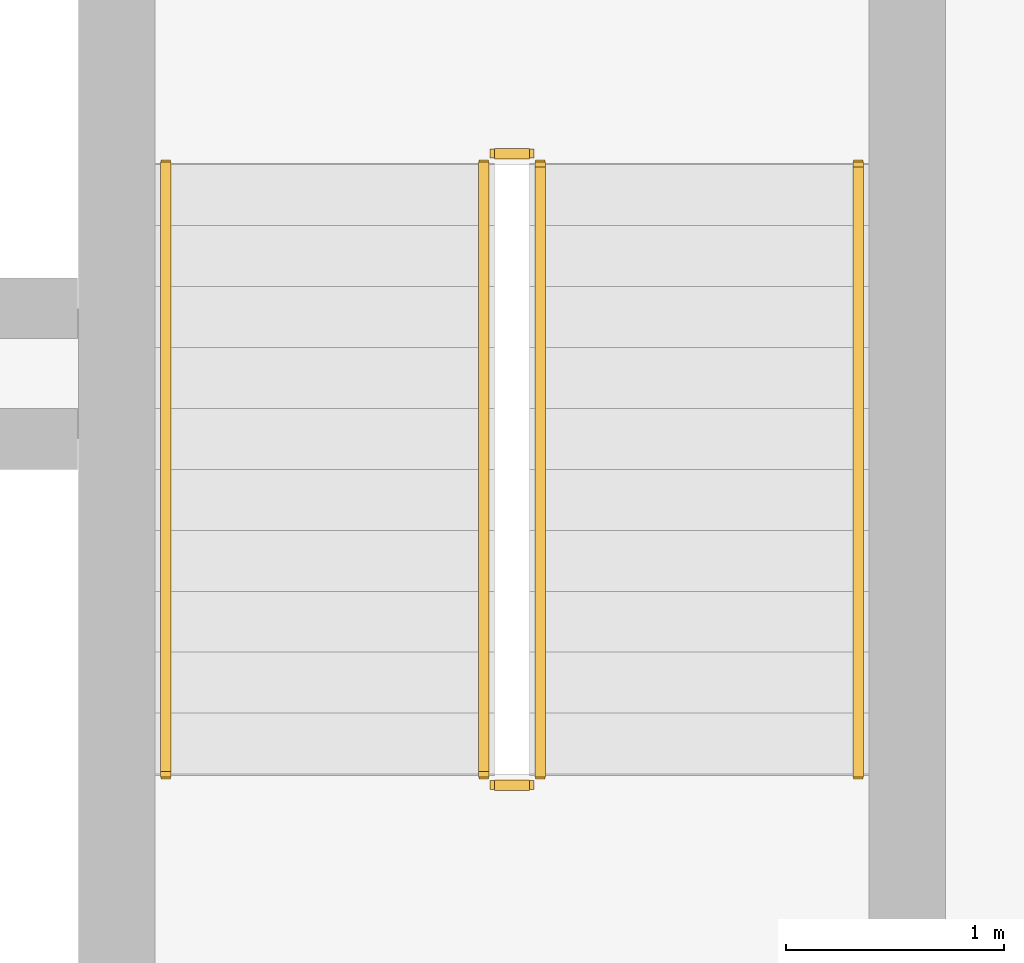
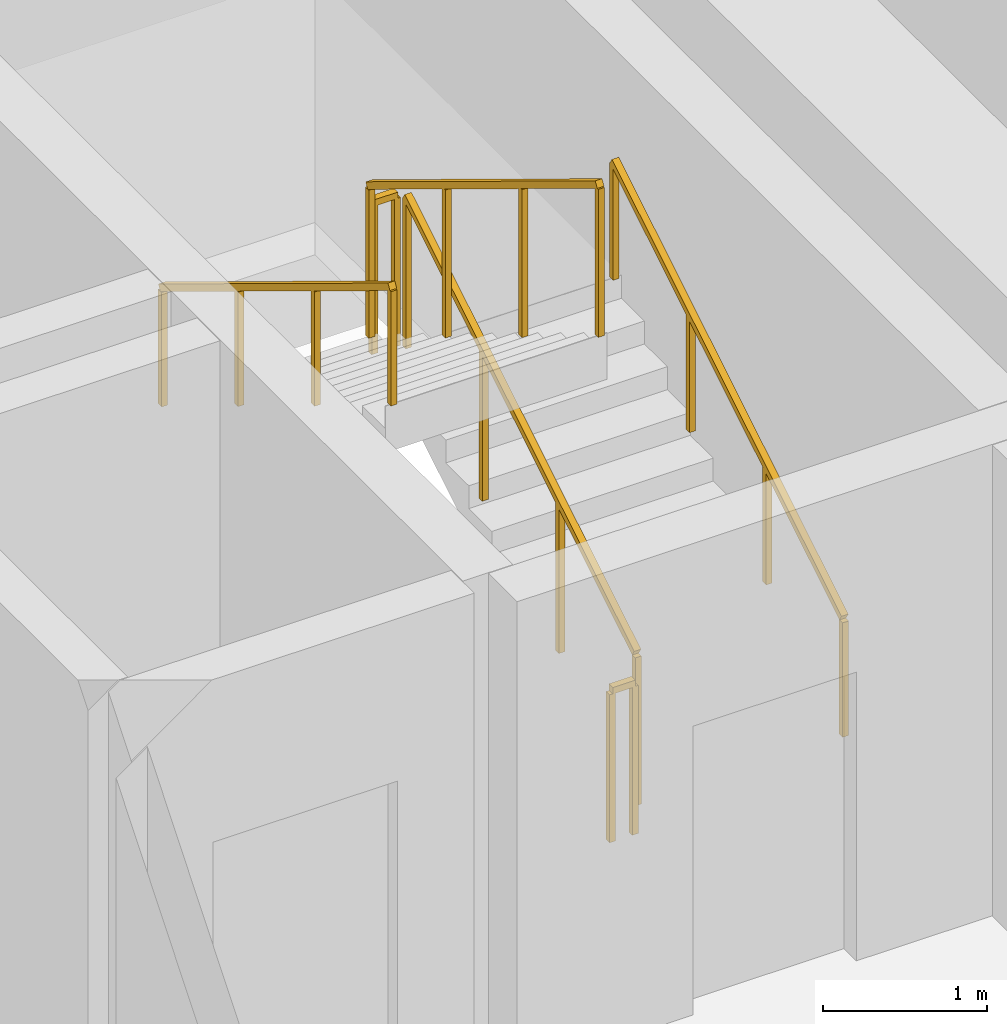
# One storey, part 15 of 15: 6 railings.
"""IFC4 building model written with IfcOpenShell, lengths in metres."""

import ifcopenshell
import ifcopenshell.guid

model = None  # the IFC model being written
_history = None  # IfcOwnerHistory: only IFC2X3 demands one
_inside = {}  # id of a spatial element -> (the spatial element, [elements in it])
_under = {}  # id of a project, library or spatial element -> (it, [spatial elements below it])
_declared = {}  # id of a project -> (the project, [libraries it declares])
_typed = {}  # id of a type object -> (the type object, [elements of that type])
_made_of = {}  # id of a material, layer set ... -> (it, [elements and type objects made of it])


def new_model(schema):
    """Start an empty IFC model of exactly this schema.

    Asked for "IFC4X3", IfcOpenShell would pick the latest addendum, in which some entities
    have other attributes; the version numbers below select the first issue.
    IFC2X3 requires an IfcOwnerHistory on every rooted entity: one is made here for all.
    """
    global model, _history
    if schema == "IFC4X3":
        model = ifcopenshell.file(schema_version=(4, 3, 0, 0))
    else:
        model = ifcopenshell.file(schema=schema)
    _inside.clear()
    _under.clear()
    _declared.clear()
    _typed.clear()
    _made_of.clear()
    _history = None
    if model.schema == "IFC2X3":
        org = make("IfcOrganization", Name="unknown")
        user = make(
            "IfcPersonAndOrganization",
            ThePerson=make("IfcPerson", FamilyName="unknown"),
            TheOrganization=org,
        )
        app = make(
            "IfcApplication",
            ApplicationDeveloper=org,
            Version="unknown",
            ApplicationFullName="unknown",
            ApplicationIdentifier="unknown",
        )
        _history = make(
            "IfcOwnerHistory",
            OwningUser=user,
            OwningApplication=app,
            ChangeAction="ADDED",
            CreationDate=0,
        )
    return model


def make(cls, **values):
    """One entity of the class cls with the attributes given. An attribute that is None is left unset."""
    return model.create_entity(
        cls, **{name: value for name, value in values.items() if value is not None}
    )


def rooted(cls, **values):
    """An entity with a GlobalId (a new one), such as an element, a storey or a relation."""
    return make(cls, GlobalId=ifcopenshell.guid.new(), OwnerHistory=_history, **values)


def si_unit(unit_type, name, prefix=None):
    """IfcSIUnit, for example si_unit("LENGTHUNIT", "METRE", prefix="MILLI")."""
    return make("IfcSIUnit", UnitType=unit_type, Prefix=prefix, Name=name)


def assignment(units):
    """IfcUnitAssignment: the units of a project."""
    return None if units is None else make("IfcUnitAssignment", Units=units)


def point(xyz):
    """IfcCartesianPoint."""
    return None if xyz is None else make("IfcCartesianPoint", Coordinates=xyz)


def direction(xyz):
    """IfcDirection."""
    return None if xyz is None else make("IfcDirection", DirectionRatios=xyz)


def frame(location, z_axis=None, x_axis=None):
    """IfcAxis2Placement3D, a coordinate frame: its origin and axes. An axis left out is left unset."""
    return make(
        "IfcAxis2Placement3D",
        Location=point(location),
        Axis=direction(z_axis),
        RefDirection=direction(x_axis),
    )


def frame_2d(location, x_axis=None):
    """IfcAxis2Placement2D, a coordinate frame in the plane: its origin and x axis."""
    return make(
        "IfcAxis2Placement2D", Location=point(location), RefDirection=direction(x_axis)
    )


def origin():
    """The frame at (0, 0, 0) with its axes left unset."""
    return frame((0.0, 0.0, 0.0))


def origin_2d():
    """The frame at (0, 0) in the plane with its x axis left unset."""
    return frame_2d((0.0, 0.0))


def place(relative_to, where):
    """IfcLocalPlacement: puts the frame where relative to a parent placement (None: the world)."""
    return make(
        "IfcLocalPlacement", PlacementRelTo=relative_to, RelativePlacement=where
    )


def context(
    kind, dimensions, precision=None, world=None, true_north=None, identifier=None
):
    """IfcGeometricRepresentationContext, for example the 3D "Model" context."""
    return make(
        "IfcGeometricRepresentationContext",
        ContextIdentifier=identifier,
        ContextType=kind,
        CoordinateSpaceDimension=dimensions,
        Precision=precision,
        WorldCoordinateSystem=world,
        TrueNorth=true_north,
    )


def subcontext(parent, identifier, kind, view, scale=None):
    """IfcGeometricRepresentationSubContext, for example "Body" below "Model"."""
    return make(
        "IfcGeometricRepresentationSubContext",
        ContextIdentifier=identifier,
        ContextType=kind,
        ParentContext=parent,
        TargetScale=scale,
        TargetView=view,
    )


def project(units=None, contexts=None):
    """IfcProject with its units and contexts."""
    return rooted(
        "IfcProject",
        Name="project",
        RepresentationContexts=contexts,
        UnitsInContext=assignment(units),
    )


def spatial(cls, under=None, at=None, **own):
    """A site, building, storey or space (cls), placed at a placement, below another one or the project."""
    s = rooted(cls, ObjectPlacement=at, **own)
    if under is not None:
        _under.setdefault(under.id(), (under, []))[1].append(s)
    return s


def profile(cls, at=None, kind="AREA", **sizes):
    """A parametric profile (cls). Its sizes go by their IFC names, for example OverallWidth=200.0."""
    return make(cls, ProfileType=kind, Position=at, **sizes)


def rectangle(**sizes):
    """IfcRectangleProfileDef."""
    return profile("IfcRectangleProfileDef", **sizes)


def extrude(swept, where, along, depth):
    """IfcExtrudedAreaSolid: the profile swept, set in the frame where, extruded along a direction by depth."""
    return make(
        "IfcExtrudedAreaSolid",
        SweptArea=swept,
        Position=where,
        ExtrudedDirection=direction(along),
        Depth=depth,
    )


def shape(context_of_items, identifier, shape_type, items):
    """IfcShapeRepresentation: the items that make up one representation, for example the "Body"."""
    return make(
        "IfcShapeRepresentation",
        ContextOfItems=context_of_items,
        RepresentationIdentifier=identifier,
        RepresentationType=shape_type,
        Items=items,
    )


def material(Name=None, Category=None):
    """IfcMaterial."""
    return make("IfcMaterial", Name=Name, Category=Category)


def made_of(thing, what):
    """Note that an element or type object is made of a material, layer set ...; save() writes the relation."""
    if what is not None:
        _made_of.setdefault(what.id(), (what, []))[1].append(thing)
    return thing


def type_object(cls, material=None, **own):
    """A type object (cls), such as IfcWallType, which elements share."""
    return made_of(rooted(cls, **own), material)


def element(
    cls,
    number,
    at=None,
    inside=None,
    cuts=None,
    type_object=None,
    material=None,
    context=None,
    identifier="Body",
    shape_type=None,
    held_by="IfcProductDefinitionShape",
    body=None,
    shapes=None,
    **own,
):
    """One element of the class cls, such as IfcWall. Its Tag is "e" and its number.

    at: its placement. inside: the storey or other place that contains it. cuts: it is an
    opening in that element (IfcRelVoidsElement). A single representation is given by context,
    identifier, shape_type and body (its items); several are given by shapes. held_by: the class
    of the entity that holds the representations. save() writes the other relations.
    """
    e = rooted(cls, Tag="e%d" % number, ObjectPlacement=at, **own)
    if body is not None:
        shapes = [shape(context, identifier, shape_type, body)]
    if shapes is not None:
        e.Representation = make(held_by, Representations=shapes)
    if inside is not None:
        _inside.setdefault(inside.id(), (inside, []))[1].append(e)
    if cuts is not None:
        rooted(
            "IfcRelVoidsElement", RelatingBuildingElement=cuts, RelatedOpeningElement=e
        )
    if type_object is not None:
        _typed.setdefault(type_object.id(), (type_object, []))[1].append(e)
    return made_of(e, material)


def aggregate(whole, parts):
    """IfcRelAggregates: a whole, such as a stair, and the parts it consists of."""
    return rooted("IfcRelAggregates", RelatingObject=whole, RelatedObjects=parts)


def save(model, path):
    """Write the relations noted so far, then the file.

    IfcRelAggregates (storeys below a building ...), IfcRelContainedInSpatialStructure (elements
    in a storey), IfcRelDefinesByType, IfcRelAssociatesMaterial and IfcRelDeclares: one each for
    every whole, place, type object, material and project.
    """
    for whole, parts in _under.values():
        aggregate(whole, parts)
    for where, things in _inside.values():
        rooted(
            "IfcRelContainedInSpatialStructure",
            RelatedElements=things,
            RelatingStructure=where,
        )
    for kind, things in _typed.values():
        rooted("IfcRelDefinesByType", RelatedObjects=things, RelatingType=kind)
    for what, things in _made_of.values():
        rooted("IfcRelAssociatesMaterial", RelatedObjects=things, RelatingMaterial=what)
    for by, libraries in _declared.values():
        rooted("IfcRelDeclares", RelatingContext=by, RelatedDefinitions=libraries)
    model.write(path)


model = new_model("IFC4")

# Units and contexts
model_context = context("Model", 3, precision=1e-05, world=origin(), true_north=direction((0.0, 1.0)))
body_context = subcontext(model_context, "Body", "Model", "MODEL_VIEW")
ifc_project = project(units=[si_unit("LENGTHUNIT", "METRE"), si_unit("AREAUNIT", "SQUARE_METRE"), si_unit("VOLUMEUNIT", "CUBIC_METRE"), si_unit("PLANEANGLEUNIT", "RADIAN"), si_unit("MASSUNIT", "GRAM", prefix="KILO")], contexts=[model_context])

# Site, building, storey
site_placement = place(None, origin())
site = spatial("IfcSite", under=ifc_project, at=site_placement, CompositionType="ELEMENT")
building_placement = place(site_placement, origin())
building = spatial("IfcBuilding", under=site, at=building_placement, Name="Kaelvorn Grand Hotel", CompositionType="ELEMENT")
storey_placement = place(building_placement, frame((0.0, 0.0, 100.550048828125)))
storey = spatial("IfcBuildingStorey", under=building, at=storey_placement, Name="L23", CompositionType="ELEMENT", Elevation=100.550048828125)

# Railings
ifc_material = material(Name="Stainless Steel", Category="steel")
railing_type_1 = type_object("IfcRailingType", Name="RL-HANDRAIL-900", PredefinedType="HANDRAIL", material=ifc_material)
railing_1_placement = place(storey_placement, frame((66.550048828125, 41.760009765625, 0.17041015625)))
element("IfcRailing", 1, at=railing_1_placement, inside=storey, type_object=railing_type_1, Name="L23 ST3 stair handrail 1", PredefinedType="HANDRAIL", context=body_context, shape_type="SweptSolid", body=[
    extrude(rectangle(XDim=0.048095703125, YDim=0.048095703125, at=origin_2d()), frame((0.0, 0.0, 0.8759765625), z_axis=(0.0, 0.854169791009, 0.51999420009), x_axis=(-1.0, 0.0, 0.0)), (0.0, 0.0, 1.0), 3.278076171875),
    extrude(rectangle(XDim=0.0419921875, YDim=0.0419921875, at=origin_2d()), origin(), (0.0, 0.0, 1.0), 0.851806640625),
    extrude(rectangle(XDim=0.0419921875, YDim=0.0419921875, at=origin_2d()), frame((0.0, 0.933349609375, 0.568115234375)), (0.0, 0.0, 1.0), 0.851806640625),
    extrude(rectangle(XDim=0.0419921875, YDim=0.0419921875, at=origin_2d()), frame((0.0, 1.86669921875, 1.136474609375)), (0.0, 0.0, 1.0), 0.851806640625),
    extrude(rectangle(XDim=0.0419921875, YDim=0.0419921875, at=origin_2d()), frame((0.0, 2.800048828125, 1.70458984375)), (0.0, 0.0, 1.0), 0.851806640625),
])
railing_2_placement = place(storey_placement, frame((63.3701171875, 44.56005859375, 2.04541015625)))
element("IfcRailing", 2, at=railing_2_placement, inside=storey, type_object=railing_type_1, Name="L23 ST3 stair handrail 2", PredefinedType="HANDRAIL", context=body_context, shape_type="SweptSolid", body=[
    extrude(rectangle(XDim=0.048095703125, YDim=0.048095703125, at=origin_2d()), frame((0.0, 0.0, 0.8759765625), z_axis=(0.0, -0.854169791009, 0.51999420009), x_axis=(1.0, 0.0, 0.0)), (0.0, 0.0, 1.0), 3.278076171875),
    extrude(rectangle(XDim=0.0419921875, YDim=0.0419921875, at=origin_2d()), origin(), (0.0, 0.0, 1.0), 0.851806640625),
    extrude(rectangle(XDim=0.0419921875, YDim=0.0419921875, at=origin_2d()), frame((0.0, -0.933349609375, 0.568115234375)), (0.0, 0.0, 1.0), 0.851806640625),
    extrude(rectangle(XDim=0.0419921875, YDim=0.0419921875, at=origin_2d()), frame((0.0, -1.86669921875, 1.136474609375)), (0.0, 0.0, 1.0), 0.851806640625),
    extrude(rectangle(XDim=0.0419921875, YDim=0.0419921875, at=origin_2d()), frame((0.0, -2.800048828125, 1.70458984375)), (0.0, 0.0, 1.0), 0.851806640625),
])
railing_type_2 = type_object("IfcRailingType", Name="RL-STAIR-GUARD-1150", PredefinedType="BALUSTRADE", material=ifc_material)
railing_3_placement = place(storey_placement, frame((65.090087890625, 41.760009765625, 0.17041015625)))
element("IfcRailing", 3, at=railing_3_placement, inside=storey, type_object=railing_type_2, Name="L23 ST3 stair guard 1", PredefinedType="BALUSTRADE", context=body_context, shape_type="SweptSolid", body=[
    extrude(rectangle(XDim=0.048095703125, YDim=0.048095703125, at=origin_2d()), frame((0.0, 0.0, 1.1259765625), z_axis=(0.0, 0.854169791009, 0.51999420009), x_axis=(-1.0, 0.0, 0.0)), (0.0, 0.0, 1.0), 3.278076171875),
    extrude(rectangle(XDim=0.0419921875, YDim=0.0419921875, at=origin_2d()), origin(), (0.0, 0.0, 1.0), 1.101806640625),
    extrude(rectangle(XDim=0.0419921875, YDim=0.0419921875, at=origin_2d()), frame((0.0, 0.933349609375, 0.568115234375)), (0.0, 0.0, 1.0), 1.101806640625),
    extrude(rectangle(XDim=0.0419921875, YDim=0.0419921875, at=origin_2d()), frame((0.0, 1.86669921875, 1.136474609375)), (0.0, 0.0, 1.0), 1.101806640625),
    extrude(rectangle(XDim=0.0419921875, YDim=0.0419921875, at=origin_2d()), frame((0.0, 2.800048828125, 1.70458984375)), (0.0, 0.0, 1.0), 1.101806640625),
])
railing_4_placement = place(storey_placement, frame((65.0400390625, 44.610107421875, 1.875)))
element("IfcRailing", 4, at=railing_4_placement, inside=storey, type_object=railing_type_2, Name="L23 ST3 stair guard 2", PredefinedType="BALUSTRADE", context=body_context, shape_type="SweptSolid", body=[
    extrude(rectangle(XDim=0.048095703125, YDim=0.048095703125, at=origin_2d()), frame((0.0, 0.0, 1.1259765625), z_axis=(-1.0, 0.0, 0.0), x_axis=(0.0, -1.0, 0.0)), (0.0, 0.0, 1.0), 0.16015625),
    extrude(rectangle(XDim=0.0419921875, YDim=0.0419921875, at=origin_2d()), origin(), (0.0, 0.0, 1.0), 1.101806640625),
    extrude(rectangle(XDim=0.0419921875, YDim=0.0419921875, at=origin_2d()), frame((-0.16015625, 0.0, 0.0)), (0.0, 0.0, 1.0), 1.101806640625),
])
railing_5_placement = place(storey_placement, frame((64.830078125, 44.56005859375, 2.04541015625)))
element("IfcRailing", 5, at=railing_5_placement, inside=storey, type_object=railing_type_2, Name="L23 ST3 stair guard 3", PredefinedType="BALUSTRADE", context=body_context, shape_type="SweptSolid", body=[
    extrude(rectangle(XDim=0.048095703125, YDim=0.048095703125, at=origin_2d()), frame((0.0, 0.0, 1.1259765625), z_axis=(0.0, -0.854169791009, 0.51999420009), x_axis=(1.0, 0.0, 0.0)), (0.0, 0.0, 1.0), 3.278076171875),
    extrude(rectangle(XDim=0.0419921875, YDim=0.0419921875, at=origin_2d()), origin(), (0.0, 0.0, 1.0), 1.101806640625),
    extrude(rectangle(XDim=0.0419921875, YDim=0.0419921875, at=origin_2d()), frame((0.0, -0.933349609375, 0.568115234375)), (0.0, 0.0, 1.0), 1.101806640625),
    extrude(rectangle(XDim=0.0419921875, YDim=0.0419921875, at=origin_2d()), frame((0.0, -1.86669921875, 1.136474609375)), (0.0, 0.0, 1.0), 1.101806640625),
    extrude(rectangle(XDim=0.0419921875, YDim=0.0419921875, at=origin_2d()), frame((0.0, -2.800048828125, 1.70458984375)), (0.0, 0.0, 1.0), 1.101806640625),
])
railing_6_placement = place(storey_placement, frame((65.0400390625, 41.7099609375, 0.0)))
element("IfcRailing", 6, at=railing_6_placement, inside=storey, type_object=railing_type_2, Name="L23 ST3 stair guard 4", PredefinedType="BALUSTRADE", context=body_context, shape_type="SweptSolid", body=[
    extrude(rectangle(XDim=0.048095703125, YDim=0.048095703125, at=origin_2d()), frame((0.0, 0.0, 1.1259765625), z_axis=(-1.0, 0.0, 0.0), x_axis=(0.0, -1.0, 0.0)), (0.0, 0.0, 1.0), 0.16015625),
    extrude(rectangle(XDim=0.0419921875, YDim=0.0419921875, at=origin_2d()), origin(), (0.0, 0.0, 1.0), 1.101806640625),
    extrude(rectangle(XDim=0.0419921875, YDim=0.0419921875, at=origin_2d()), frame((-0.16015625, 0.0, 0.0)), (0.0, 0.0, 1.0), 1.101806640625),
])

save(model, "model.ifc")
